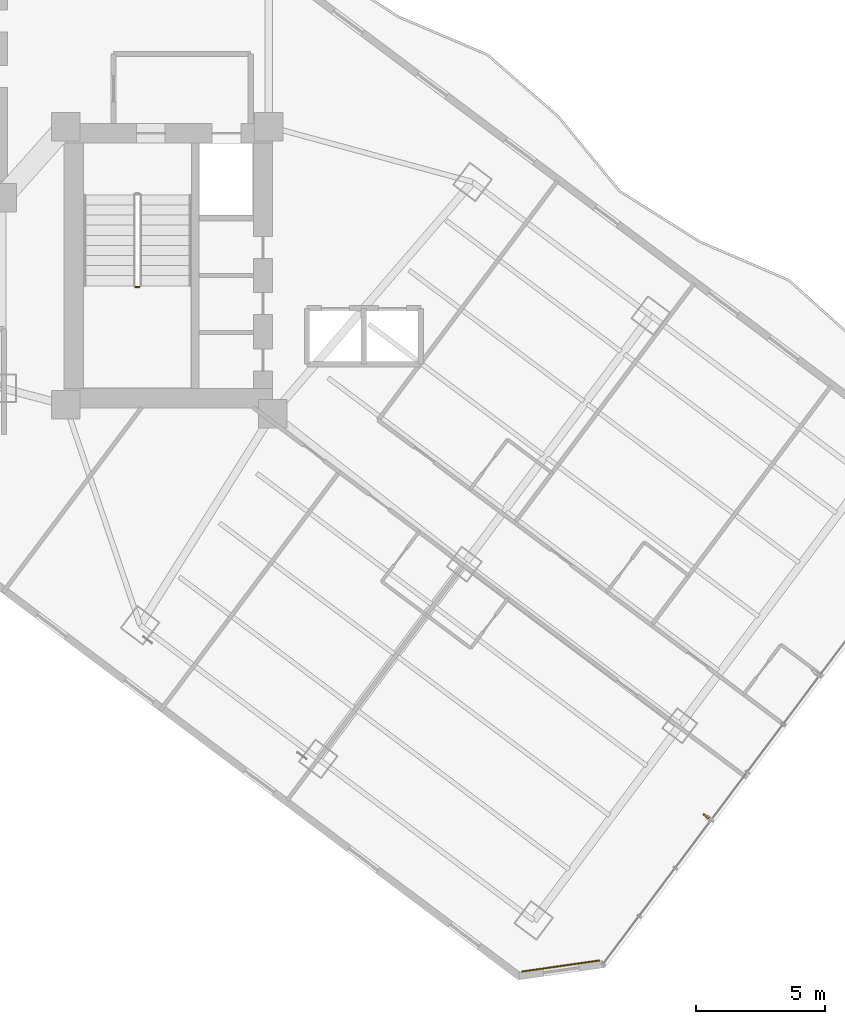
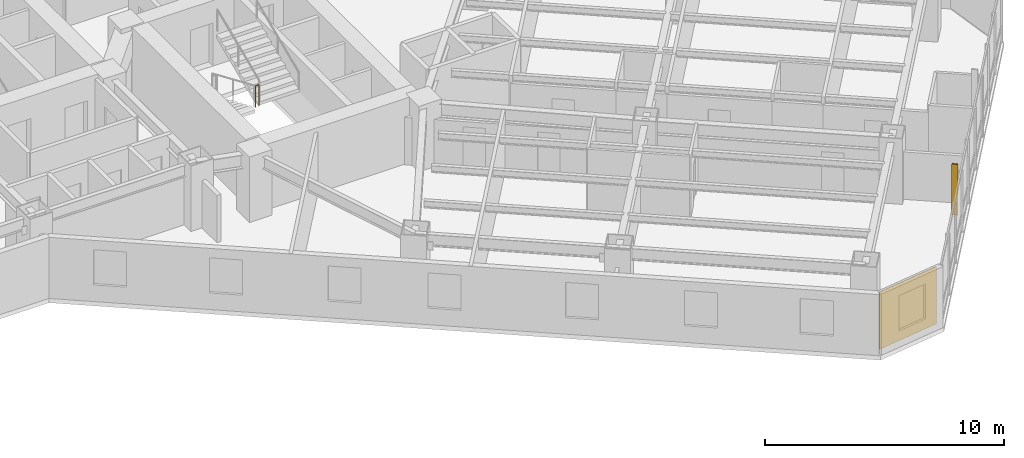
# One storey, part 32 of 37: 1 covering, 1 railing, 1 shading device.
"""IFC4 building model written with IfcOpenShell, lengths in metres."""

from ifc_helpers import new_model, si_unit, direction, frame, origin, origin_2d, place, context, subcontext, project, spatial, rectangle, circle, extrude, material, layer, layer_set, type_object, element, save


model = new_model("IFC4")

# Units and contexts
model_context = context("Model", 3, precision=1e-05, world=origin(), true_north=direction((0.0, 1.0)))
body_context = subcontext(model_context, "Body", "Model", "MODEL_VIEW")
ifc_project = project(units=[si_unit("LENGTHUNIT", "METRE"), si_unit("AREAUNIT", "SQUARE_METRE"), si_unit("VOLUMEUNIT", "CUBIC_METRE"), si_unit("PLANEANGLEUNIT", "RADIAN"), si_unit("MASSUNIT", "GRAM", prefix="KILO")], contexts=[model_context])

# Site, building, storey
site_placement = place(None, origin())
site = spatial("IfcSite", under=ifc_project, at=site_placement, CompositionType="ELEMENT")
building_placement = place(site_placement, origin())
building = spatial("IfcBuilding", under=site, at=building_placement, Name="Hatsunagi Terrace Concourse", CompositionType="ELEMENT")
storey_placement = place(building_placement, frame((0.0, 0.0, 39.949951171875)))
storey = spatial("IfcBuildingStorey", under=building, at=storey_placement, Name="L09", CompositionType="ELEMENT", Elevation=39.949951171875)

# Railing
ifc_material_1 = material(Name="Stainless steel", Category="steel")
ifc_layer_1 = layer(ifc_material_1, 0.06005859375)
ifc_layer_set_1 = layer_set([ifc_layer_1], Name="StairWellGuard_Tower2000")
railing_type = type_object("IfcRailingType", Name="StairWellGuard_Tower2000", PredefinedType="BALUSTRADE", material=ifc_layer_set_1)
railing_placement = place(storey_placement, frame((38.5, 29.10009765625, 1.675048828125)))
element("IfcRailing", 1, at=railing_placement, inside=storey, type_object=railing_type, Name="L09 ST-B stair guard 2", PredefinedType="BALUSTRADE", context=body_context, shape_type="SweptSolid", body=[
    extrude(circle(Radius=0.02392578125, at=origin_2d()), frame((0.0, 0.0, 1.09619140625), z_axis=(1.0, 0.0, 0.0), x_axis=(0.0, 1.0, 0.0)), (0.0, 0.0, 1.0), 0.14990234375),
    extrude(circle(Radius=0.02099609375, at=origin_2d()), origin(), (0.0, 0.0, 1.0), 1.072021484375),
    extrude(circle(Radius=0.02099609375, at=origin_2d()), frame((0.14990234375, 0.0, 0.0)), (0.0, 0.0, 1.0), 1.072021484375),
])

# Shading device
ifc_material_2 = material(Name="Extruded Unglazed Terracotta Baguette", Category="masonry")
shading_device_type = type_object("IfcShadingDeviceType", Name="TerracottaFinScreen_260x70", PredefinedType="USERDEFINED", material=ifc_material_2)
shading_device_placement = place(storey_placement, frame((60.5400390625, 8.6689453125, 0.85009765625), z_axis=(0.0, 0.0, 1.0), x_axis=(-0.599969314634, -0.800023013105, 0.0)))
element("IfcShadingDevice", 2, at=shading_device_placement, inside=storey, type_object=shading_device_type, Name="Terracotta Baguette Fin Screen SCR-01", ObjectType="SUNSHADE", PredefinedType="USERDEFINED", context=body_context, shape_type="SweptSolid", body=[
    extrude(rectangle(XDim=0.070068359375, YDim=0.260009765625, at=origin_2d()), origin(), (0.0, 0.0, 1.0), 2.60009765625),
])

# Covering
ifc_material_3 = material(Name="Unglazed Warm Terracotta Rainscreen Tile", Category="masonry")
ifc_layer_2 = layer(ifc_material_3, 0.044921875)
ifc_layer_set_2 = layer_set([ifc_layer_2], Name="TerracottaRainscreenCladding_45")
covering_type = type_object("IfcCoveringType", Name="TerracottaRainscreenCladding_45", PredefinedType="CLADDING", material=ifc_layer_set_2)
covering_placement = place(storey_placement, frame((54.91796875, 2.87890625, 0.10009765625), z_axis=(0.0, 0.0, 1.0), x_axis=(-0.989973920543, -0.141250262458, 0.0)))
element("IfcCovering", 3, at=covering_placement, inside=storey, type_object=covering_type, Name="Terracotta Rainscreen Cladding L09-04", PredefinedType="CLADDING", context=body_context, shape_type="SweptSolid", body=[
    extrude(rectangle(XDim=3.0380859375, YDim=0.044921875, at=origin_2d()), origin(), (0.0, 0.0, 1.0), 2.929931640625),
])

save(model, "model.ifc")
